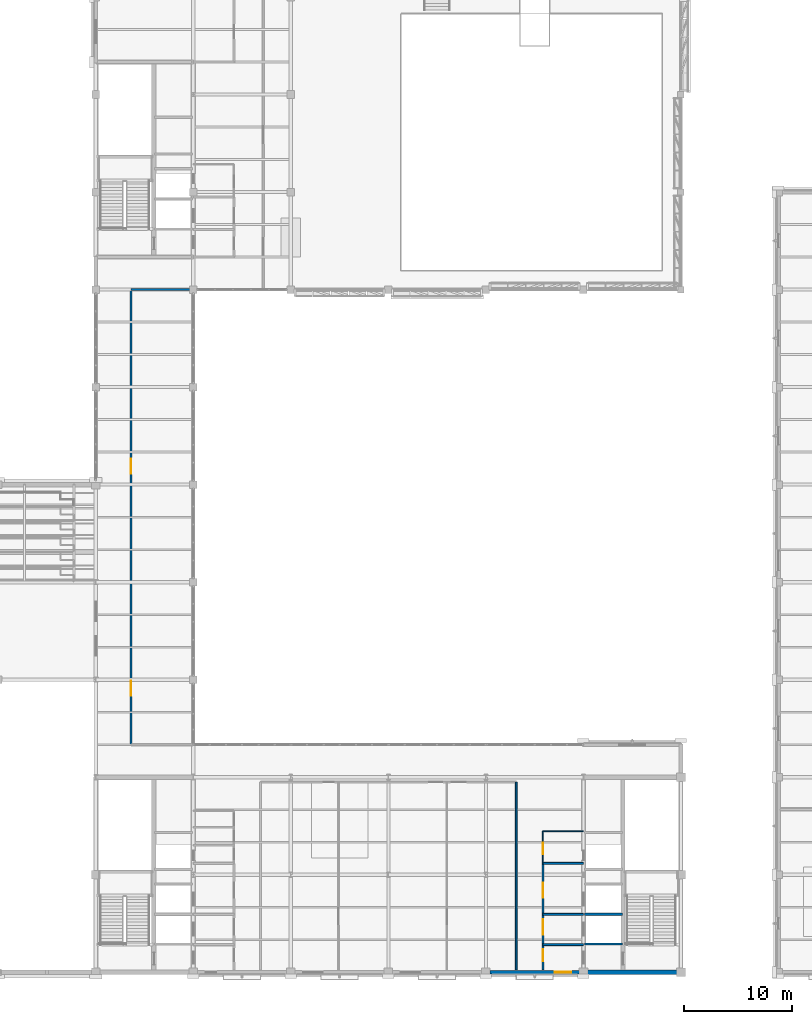
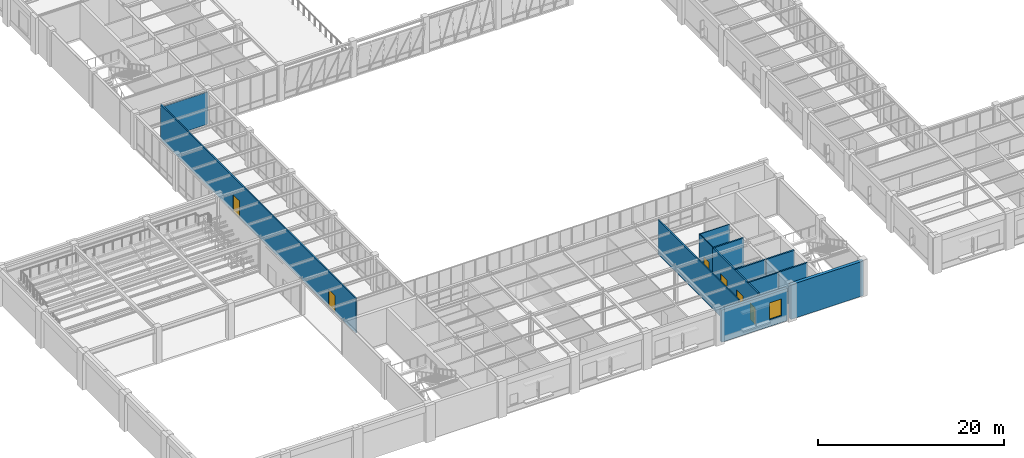
# One storey, part 81 of 98: 13 walls, 6 doors, 1 window, 7 openings.
"""IFC4 building model written with IfcOpenShell, lengths in metres."""

from ifc_helpers import new_model, si_unit, direction, frame, frame_2d, origin, place, context, subcontext, project, spatial, rectangle, extrude, material, layer, layer_set, type_object, element, fill, save


model = new_model("IFC4")

# Units and contexts
model_context = context("Model", 3, precision=1e-05, world=origin(), true_north=direction((0.0, 1.0)))
body_context = subcontext(model_context, "Body", "Model", "MODEL_VIEW")
ifc_project = project(units=[si_unit("LENGTHUNIT", "METRE"), si_unit("AREAUNIT", "SQUARE_METRE"), si_unit("VOLUMEUNIT", "CUBIC_METRE"), si_unit("PLANEANGLEUNIT", "RADIAN"), si_unit("MASSUNIT", "GRAM", prefix="KILO")], contexts=[model_context])

# Site, building, storey
site_placement = place(None, origin())
site = spatial("IfcSite", under=ifc_project, at=site_placement, CompositionType="ELEMENT")
building_placement = place(site_placement, origin())
building = spatial("IfcBuilding", under=site, at=building_placement, Name="Lykobir Media Centre", CompositionType="ELEMENT")
storey_placement = place(building_placement, frame((0.0, 0.0, 10.199951171875)))
storey = spatial("IfcBuildingStorey", under=building, at=storey_placement, Name="L02", CompositionType="ELEMENT", Elevation=10.199951171875)

# Wall, opening, window
ifc_material_1 = material(Name="Architectural Ochre Brick", Category="masonry")
ifc_layer_1 = layer(ifc_material_1, 0.330078125, Name="Architectural Ochre Brick")
ifc_layer_set_1 = layer_set([ifc_layer_1], Name="Architectural Ochre Brick")
wall_type_1 = type_object("IfcWallType", Name="EW-BRK-330", PredefinedType="STANDARD", material=ifc_layer_set_1)
wall_1_placement = place(storey_placement, frame((63.385009765625, 0.0, 0.0), z_axis=(0.0, 0.0, 1.0), x_axis=(1.0, 0.0, 0.0)))
wall_1 = element("IfcWall", 1, at=wall_1_placement, inside=storey, type_object=wall_type_1, Name="Exterior wall WALL-L02-0176", PredefinedType="STANDARD", context=body_context, shape_type="SweptSolid", body=[
    extrude(rectangle(XDim=8.22998046875, YDim=0.330078125, at=frame_2d((4.114990234375, 0.0))), origin(), (0.0, 0.0, 1.0), 4.235107421875),
])
opening_1_placement = place(wall_1_placement, frame((5.97998046875, 0.0, 0.89990234375)))
opening_1 = element("IfcOpeningElement", 2, at=opening_1_placement, cuts=wall_1, Name="Opening WN-1500x2200", PredefinedType="OPENING", context=body_context, shape_type="SweptSolid", body=[
    extrude(rectangle(XDim=1.5, YDim=2.199951171875, at=frame_2d((0.75, 1.10009765625))), frame((0.0, 0.175048828125, 0.0), z_axis=(0.0, -1.0, 0.0), x_axis=(1.0, 0.0, 0.0)), (0.0, 0.0, 1.0), 0.35009765625),
])
ifc_material_2 = material(Name="Low-E Laminated Triple Glazing", Category="glass")
window_type = type_object("IfcWindowType", Name="WN-1500x2200", PartitioningType="SINGLE_PANEL", PredefinedType="WINDOW", material=ifc_material_2)
window_placement = place(opening_1_placement, origin())
window = element("IfcWindow", 3, at=window_placement, inside=storey, type_object=window_type, Name="Window WIN-L02-0051", OverallHeight=2.199951171875, OverallWidth=1.5, PartitioningType="SINGLE_PANEL", PredefinedType="WINDOW", context=body_context, shape_type="SweptSolid", body=[
    extrude(rectangle(XDim=1.5, YDim=2.199951171875, at=frame_2d((0.75, 1.10009765625))), frame((0.0, 0.030029296875, 0.0), z_axis=(0.0, -1.0, 0.0), x_axis=(1.0, 0.0, 0.0)), (0.0, 0.0, 1.0), 0.06005859375),
])
fill(opening_1, window)

# Wall
ifc_material_3 = material(Name="Acoustic Gypsum Board", Category="gypsum")
ifc_layer_2 = layer(ifc_material_3, 0.159912109375, Name="Acoustic Gypsum Board")
ifc_layer_set_2 = layer_set([ifc_layer_2], Name="Acoustic Gypsum Board")
wall_type_2 = type_object("IfcWallType", Name="IW-COR-160", PredefinedType="PARTITIONING", material=ifc_layer_set_2)
wall_2_placement = place(storey_placement, frame((65.800048828125, 0.219970703125, 0.0), z_axis=(0.0, 0.0, 1.0), x_axis=(0.0, 1.0, 0.0)))
element("IfcWall", 4, at=wall_2_placement, inside=storey, type_object=wall_type_2, Name="Wall IWALL-L02-0698", PredefinedType="PARTITIONING", context=body_context, shape_type="SweptSolid", body=[
    extrude(rectangle(XDim=17.330078125, YDim=0.159912109375, at=frame_2d((8.6650390625, 0.0))), origin(), (0.0, 0.0, 1.0), 4.56005859375),
])

# Wall, openings, doors
wall_3_placement = place(storey_placement, frame((30.25, 21.0, 0.0), z_axis=(0.0, 0.0, 1.0), x_axis=(0.0, 1.0, 0.0)))
wall_3 = element("IfcWall", 5, at=wall_3_placement, inside=storey, type_object=wall_type_2, Name="Wall IWALL-L02-0701", PredefinedType="PARTITIONING", context=body_context, shape_type="SweptSolid", body=[
    extrude(rectangle(XDim=42.0, YDim=0.159912109375, at=frame_2d((21.0, 0.0))), origin(), (0.0, 0.0, 1.0), 4.56005859375),
])
opening_2_placement = place(wall_3_placement, frame((4.5, 0.0, 0.0)))
opening_2 = element("IfcOpeningElement", 6, at=opening_2_placement, cuts=wall_3, Name="Opening D-L02-WG1", PredefinedType="OPENING", context=body_context, shape_type="SweptSolid", body=[
    extrude(rectangle(XDim=1.39990234375, YDim=2.199951171875, at=frame_2d((0.699951171875, 1.10009765625))), frame((0.0, 0.08984375, 0.0), z_axis=(0.0, -1.0, 0.0), x_axis=(1.0, 0.0, 0.0)), (0.0, 0.0, 1.0), 0.179931640625),
])
opening_3_placement = place(wall_3_placement, frame((25.0, 0.0, 0.0)))
opening_3 = element("IfcOpeningElement", 7, at=opening_3_placement, cuts=wall_3, Name="Opening D-L02-WG2", PredefinedType="OPENING", context=body_context, shape_type="SweptSolid", body=[
    extrude(rectangle(XDim=1.39990234375, YDim=2.199951171875, at=frame_2d((0.699951171875, 1.10009765625))), frame((0.0, 0.08984375, 0.0), z_axis=(0.0, -1.0, 0.0), x_axis=(1.0, 0.0, 0.0)), (0.0, 0.0, 1.0), 0.179931640625),
])
ifc_material_4 = material(Name="Acoustic Timber Panelling", Category="wood")
door_type_1 = type_object("IfcDoorType", Name="FD-1400x2200", OperationType="NOTDEFINED", PredefinedType="DOOR", material=ifc_material_4)
door_1_placement = place(opening_2_placement, origin())
door_1 = element("IfcDoor", 8, at=door_1_placement, inside=storey, type_object=door_type_1, Name="Door D-L02-WG1", OperationType="DOUBLE_DOOR_SINGLE_SWING", OverallHeight=2.199951171875, OverallWidth=1.39990234375, PredefinedType="DOOR", context=body_context, shape_type="SweptSolid", body=[
    extrude(rectangle(XDim=1.39990234375, YDim=2.199951171875, at=frame_2d((0.699951171875, 1.10009765625))), frame((0.0, 0.02490234375, 0.0), z_axis=(0.0, -1.0, 0.0), x_axis=(1.0, 0.0, 0.0)), (0.0, 0.0, 1.0), 0.050048828125),
])
fill(opening_2, door_1)
door_2_placement = place(opening_3_placement, origin())
door_2 = element("IfcDoor", 9, at=door_2_placement, inside=storey, type_object=door_type_1, Name="Door D-L02-WG2", OperationType="DOUBLE_DOOR_SINGLE_SWING", OverallHeight=2.199951171875, OverallWidth=1.39990234375, PredefinedType="DOOR", context=body_context, shape_type="SweptSolid", body=[
    extrude(rectangle(XDim=1.39990234375, YDim=2.199951171875, at=frame_2d((0.699951171875, 1.10009765625))), frame((0.0, 0.02490234375, 0.0), z_axis=(0.0, -1.0, 0.0), x_axis=(1.0, 0.0, 0.0)), (0.0, 0.0, 1.0), 0.050048828125),
])
fill(opening_3, door_2)

# Wall
wall_4_placement = place(storey_placement, frame((30.25, 63.0, 0.0), z_axis=(0.0, 0.0, 1.0), x_axis=(1.0, 0.0, 0.0)))
element("IfcWall", 10, at=wall_4_placement, inside=storey, type_object=wall_type_2, Name="Wall IWALL-L02-0703", PredefinedType="PARTITIONING", context=body_context, shape_type="SweptSolid", body=[
    extrude(rectangle(XDim=5.75, YDim=0.159912109375, at=frame_2d((2.875, 0.0))), origin(), (0.0, 0.0, 1.0), 4.235107421875),
])

# Wall, openings, doors
ifc_layer_3 = layer(ifc_material_3, 0.179931640625, Name="Acoustic Gypsum Board")
ifc_layer_set_3 = layer_set([ifc_layer_3], Name="Acoustic Gypsum Board")
wall_type_3 = type_object("IfcWallType", Name="IW-FFLOB-180", PredefinedType="PARTITIONING", material=ifc_layer_set_3)
wall_5_placement = place(storey_placement, frame((68.25, 0.219970703125, 0.0), z_axis=(0.0, 0.0, 1.0), x_axis=(0.0, 1.0, 0.0)))
wall_5 = element("IfcWall", 11, at=wall_5_placement, inside=storey, type_object=wall_type_3, Name="Wall IWALL-L02-0241", PredefinedType="PARTITIONING", context=body_context, shape_type="SweptSolid", body=[
    extrude(rectangle(XDim=9.830078125, YDim=0.179931640625, at=frame_2d((4.9150390625, 0.0))), origin(), (0.0, 0.0, 1.0), 4.56005859375),
])
opening_4_placement = place(wall_5_placement, frame((0.800048828125, 0.0, 0.0)))
opening_4 = element("IfcOpeningElement", 12, at=opening_4_placement, cuts=wall_5, Name="Opening D-L02-C2LV", PredefinedType="OPENING", context=body_context, shape_type="SweptSolid", body=[
    extrude(rectangle(XDim=1.10009765625, YDim=2.159912109375, at=frame_2d((0.550048828125, 1.080078125))), frame((0.0, 0.099853515625, 0.0), z_axis=(0.0, -1.0, 0.0), x_axis=(1.0, 0.0, 0.0)), (0.0, 0.0, 1.0), 0.199951171875),
])
opening_5_placement = place(wall_5_placement, frame((3.25, 0.0, 0.0)))
opening_5 = element("IfcOpeningElement", 13, at=opening_5_placement, cuts=wall_5, Name="Opening D-L02-C2PL", PredefinedType="OPENING", context=body_context, shape_type="SweptSolid", body=[
    extrude(rectangle(XDim=1.39990234375, YDim=2.199951171875, at=frame_2d((0.699951171875, 1.10009765625))), frame((0.0, 0.099853515625, 0.0), z_axis=(0.0, -1.0, 0.0), x_axis=(1.0, 0.0, 0.0)), (0.0, 0.0, 1.0), 0.199951171875),
])
opening_6_placement = place(wall_5_placement, frame((6.64990234375, 0.0, 0.0)))
opening_6 = element("IfcOpeningElement", 14, at=opening_6_placement, cuts=wall_5, Name="Opening D-L02-C2FF", PredefinedType="OPENING", context=body_context, shape_type="SweptSolid", body=[
    extrude(rectangle(XDim=1.39990234375, YDim=2.199951171875, at=frame_2d((0.699951171875, 1.10009765625))), frame((0.0, 0.099853515625, 0.0), z_axis=(0.0, -1.0, 0.0), x_axis=(1.0, 0.0, 0.0)), (0.0, 0.0, 1.0), 0.199951171875),
])
door_type_2 = type_object("IfcDoorType", Name="FD-1100x2160", OperationType="NOTDEFINED", PredefinedType="DOOR", material=ifc_material_4)
door_3_placement = place(opening_4_placement, origin())
door_3 = element("IfcDoor", 15, at=door_3_placement, inside=storey, type_object=door_type_2, Name="Door D-L02-C2LV", OperationType="SINGLE_SWING_RIGHT", OverallHeight=2.159912109375, OverallWidth=1.10009765625, PredefinedType="DOOR", context=body_context, shape_type="SweptSolid", body=[
    extrude(rectangle(XDim=1.10009765625, YDim=2.159912109375, at=frame_2d((0.550048828125, 1.080078125))), frame((0.0, 0.02490234375, 0.0), z_axis=(0.0, -1.0, 0.0), x_axis=(1.0, 0.0, 0.0)), (0.0, 0.0, 1.0), 0.050048828125),
])
fill(opening_4, door_3)
door_4_placement = place(opening_5_placement, origin())
door_4 = element("IfcDoor", 16, at=door_4_placement, inside=storey, type_object=door_type_1, Name="Door D-L02-C2PL", OperationType="DOUBLE_DOOR_SINGLE_SWING", OverallHeight=2.199951171875, OverallWidth=1.39990234375, PredefinedType="DOOR", context=body_context, shape_type="SweptSolid", body=[
    extrude(rectangle(XDim=1.39990234375, YDim=2.199951171875, at=frame_2d((0.699951171875, 1.10009765625))), frame((0.0, 0.02490234375, 0.0), z_axis=(0.0, -1.0, 0.0), x_axis=(1.0, 0.0, 0.0)), (0.0, 0.0, 1.0), 0.050048828125),
])
fill(opening_5, door_4)
door_5_placement = place(opening_6_placement, origin())
door_5 = element("IfcDoor", 17, at=door_5_placement, inside=storey, type_object=door_type_1, Name="Door D-L02-C2FF", OperationType="DOUBLE_DOOR_SINGLE_SWING", OverallHeight=2.199951171875, OverallWidth=1.39990234375, PredefinedType="DOOR", context=body_context, shape_type="SweptSolid", body=[
    extrude(rectangle(XDim=1.39990234375, YDim=2.199951171875, at=frame_2d((0.699951171875, 1.10009765625))), frame((0.0, 0.02490234375, 0.0), z_axis=(0.0, -1.0, 0.0), x_axis=(1.0, 0.0, 0.0)), (0.0, 0.0, 1.0), 0.050048828125),
])
fill(opening_6, door_5)

# Walls
for number, where, z_axis, x_axis, name in (
    (18, (68.25, 2.550048828125, 0.0), (0.0, 0.0, 1.0), (1.0, 0.0, 0.0), "Wall IWALL-L02-0242"),
    (19, (68.25, 5.35009765625, 0.0), (0.0, 0.0, 1.0), (1.0, 0.0, 0.0), "Wall IWALL-L02-0243"),
    (20, (68.25, 10.050048828125, 0.0), (0.0, 0.0, 1.0), (1.0, 0.0, 0.0), "Wall IWALL-L02-0244"),
):
    element("IfcWall", number, at=place(storey_placement, frame(where, z_axis=z_axis, x_axis=x_axis)), inside=storey, type_object=wall_type_3, Name=name, PredefinedType="PARTITIONING", context=body_context, shape_type="SweptSolid", body=[
        extrude(rectangle(XDim=3.75, YDim=0.179931640625, at=frame_2d((1.875, 0.0))), origin(), (0.0, 0.0, 1.0), 4.56005859375),
    ])
ifc_material_5 = material(Name="Concrete C30/37", Category="concrete")
ifc_layer_4 = layer(ifc_material_5, 0.199951171875, Name="Concrete C30/37")
ifc_layer_set_4 = layer_set([ifc_layer_4], Name="Concrete C30/37")
wall_type_4 = type_object("IfcWallType", Name="IW-SHAFT-200", PredefinedType="PARTITIONING", material=ifc_layer_set_4)
for number, where, z_axis, x_axis, name in (
    (21, (72.10009765625, 2.60009765625, 0.0), (0.0, 0.0, 1.0), (1.0, 0.0, 0.0), "Wall IWALL-L02-0236"),
    (22, (72.10009765625, 5.35009765625, 0.0), (0.0, 0.0, 1.0), (1.0, 0.0, 0.0), "Wall IWALL-L02-0237"),
):
    element("IfcWall", number, at=place(storey_placement, frame(where, z_axis=z_axis, x_axis=x_axis)), inside=storey, type_object=wall_type_4, Name=name, PredefinedType="PARTITIONING", context=body_context, shape_type="SweptSolid", body=[
        extrude(rectangle(XDim=3.5, YDim=0.199951171875, at=frame_2d((1.75, 0.0))), origin(), (0.0, 0.0, 1.0), 4.56005859375),
    ])

# Wall, opening, door
ifc_layer_5 = layer(ifc_material_3, 0.094970703125, Name="Acoustic Gypsum Board")
ifc_layer_set_5 = layer_set([ifc_layer_5], Name="Acoustic Gypsum Board")
wall_type_5 = type_object("IfcWallType", Name="IW-WC-095", PredefinedType="PARTITIONING", material=ifc_layer_set_5)
wall_6_placement = place(storey_placement, frame((68.25, 10.050048828125, 0.0), z_axis=(0.0, 0.0, 1.0), x_axis=(0.0, 1.0, 0.0)))
wall_6 = element("IfcWall", 23, at=wall_6_placement, inside=storey, type_object=wall_type_5, Name="Wall IWALL-L02-0245", PredefinedType="PARTITIONING", context=body_context, shape_type="SweptSolid", body=[
    extrude(rectangle(XDim=2.949951171875, YDim=0.094970703125, at=frame_2d((1.47509765625, 0.0))), origin(), (0.0, 0.0, 1.0), 4.56005859375),
])
opening_7_placement = place(wall_6_placement, frame((0.85009765625, 0.0, 0.0)))
opening_7 = element("IfcOpeningElement", 24, at=opening_7_placement, cuts=wall_6, Name="Opening D-L02-WCA2", PredefinedType="OPENING", context=body_context, shape_type="SweptSolid", body=[
    extrude(rectangle(XDim=1.050048828125, YDim=2.1298828125, at=frame_2d((0.52490234375, 1.06494140625))), frame((0.0, 0.057373046875, 0.0), z_axis=(0.0, -1.0, 0.0), x_axis=(1.0, 0.0, 0.0)), (0.0, 0.0, 1.0), 0.114990234375),
])
door_type_3 = type_object("IfcDoorType", Name="ID-1050x2130", OperationType="NOTDEFINED", PredefinedType="DOOR", material=ifc_material_4)
door_6_placement = place(opening_7_placement, origin())
door_6 = element("IfcDoor", 25, at=door_6_placement, inside=storey, type_object=door_type_3, Name="Door D-L02-WCA2", OperationType="SINGLE_SWING_LEFT", OverallHeight=2.1298828125, OverallWidth=1.050048828125, PredefinedType="DOOR", context=body_context, shape_type="SweptSolid", body=[
    extrude(rectangle(XDim=1.050048828125, YDim=2.1298828125, at=frame_2d((0.52490234375, 1.06494140625))), frame((0.0, 0.02490234375, 0.0), z_axis=(0.0, -1.0, 0.0), x_axis=(1.0, 0.0, 0.0)), (0.0, 0.0, 1.0), 0.050048828125),
])
fill(opening_7, door_6)

# Walls
wall_7_placement = place(storey_placement, frame((68.25, 13.0, 0.0), z_axis=(0.0, 0.0, 1.0), x_axis=(1.0, 0.0, 0.0)))
element("IfcWall", 26, at=wall_7_placement, inside=storey, type_object=wall_type_5, Name="Wall IWALL-L02-0246", PredefinedType="PARTITIONING", context=body_context, shape_type="SweptSolid", body=[
    extrude(rectangle(XDim=3.75, YDim=0.094970703125, at=frame_2d((1.875, 0.0))), origin(), (0.0, 0.0, 1.0), 4.56005859375),
])
ifc_material_6 = material(Name="Concrete C40/50", Category="concrete")
ifc_layer_6 = layer(ifc_material_6, 0.39990234375, Name="Concrete C40/50")
ifc_layer_set_6 = layer_set([ifc_layer_6], Name="Concrete C40/50")
wall_type_6 = type_object("IfcWallType", Name="SW-CORE-400-E", PredefinedType="SHEAR", material=ifc_layer_set_6)
wall_8_placement = place(storey_placement, frame((72.0, 0.0, 0.0), z_axis=(0.0, 0.0, 1.0), x_axis=(1.0, 0.0, 0.0)))
element("IfcWall", 27, at=wall_8_placement, inside=storey, type_object=wall_type_6, Name="Wall IWALL-L02-0231", PredefinedType="SHEAR", context=body_context, shape_type="SweptSolid", body=[
    extrude(rectangle(XDim=9.0, YDim=0.39990234375, at=frame_2d((4.5, 0.0))), origin(), (0.0, 0.0, 1.0), 4.56005859375),
])

save(model, "model.ifc")
